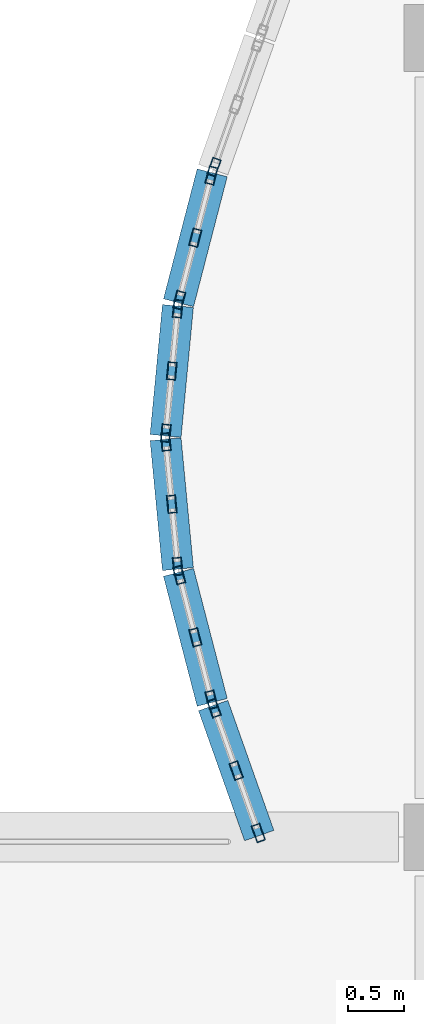
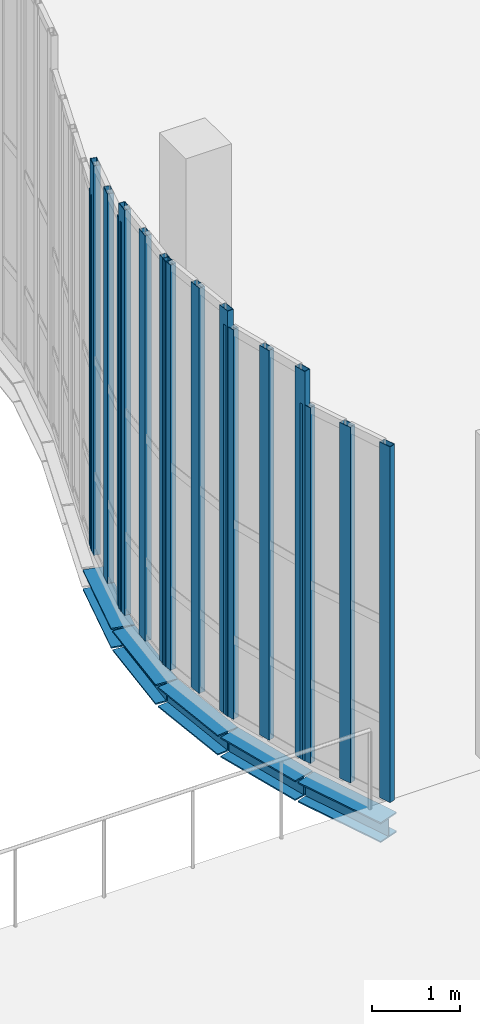
# One storey, part 15 of 105: 16 members, 5 beams, 6 elements without a shape of their own.
"""IFC4 building model written with IfcOpenShell, lengths in metres."""

from ifc_helpers import new_model, si_unit, direction, frame, origin, origin_2d, place, context, subcontext, project, spatial, hollow_rectangle, i_section, extrude, material, layer, layer_set, material_profile, profile_set, type_object, element, aggregate, save


model = new_model("IFC4")

# Units and contexts
model_context = context("Model", 3, precision=1e-05, world=origin(), true_north=direction((0.0, 1.0)))
body_context = subcontext(model_context, "Body", "Model", "MODEL_VIEW")
ifc_project = project(units=[si_unit("LENGTHUNIT", "METRE"), si_unit("AREAUNIT", "SQUARE_METRE"), si_unit("VOLUMEUNIT", "CUBIC_METRE"), si_unit("PLANEANGLEUNIT", "RADIAN"), si_unit("MASSUNIT", "GRAM", prefix="KILO"), si_unit("THERMODYNAMICTEMPERATUREUNIT", "KELVIN"), si_unit("POWERUNIT", "WATT")], contexts=[model_context])

# Site, building, storey
site_placement = place(None, origin())
site = spatial("IfcSite", under=ifc_project, at=site_placement, CompositionType="ELEMENT")
building_placement = place(site_placement, origin())
building = spatial("IfcBuilding", under=site, at=building_placement, Name="Kaldorven Railside Theatre", CompositionType="ELEMENT")
storey_placement = place(building_placement, frame((0.0, 0.0, 9.89990234375)))
storey = spatial("IfcBuildingStorey", under=building, at=storey_placement, Name="L02", CompositionType="ELEMENT", Elevation=9.89990234375)

# Beams
ifc_material_1 = material(Name="Steel S355", Category="steel")
ifc_material_profile_1 = material_profile(ifc_material_1, i_section(OverallWidth=0.280029296875, OverallDepth=0.280029296875, WebThickness=0.010498046875, FlangeThickness=0.01806640625, at=origin_2d()), Name="HEB 280")
ifc_profile_set_1 = profile_set([ifc_material_profile_1], Name="Steel S355")
beam_type = type_object("IfcBeamType", Name="BM-HEB280", PredefinedType="SPANDREL", material=ifc_profile_set_1)
beam_1_placement = place(storey_placement, frame((71.195068359375, 40.814208984375, -0.389892578125), z_axis=(-0.333908952671, 0.942605331688, 0.0), x_axis=(-0.942605331688, -0.333908952671, 0.0)))
element("IfcBeam", 1, at=beam_1_placement, inside=storey, type_object=beam_type, Name="L02 Sinusoidal Flute Edge Spandrel FSB-241", PredefinedType="SPANDREL", context=body_context, shape_type="SweptSolid", body=[
    extrude(i_section(OverallWidth=0.280029296875, OverallDepth=0.280029296875, WebThickness=0.010498046875, FlangeThickness=0.01806640625, at=origin_2d()), origin(), (0.0, 0.0, 1.0), 1.242919921875),
])
beam_2_placement = place(storey_placement, frame((70.771240234375, 42.014404296875, -0.389892578125), z_axis=(-0.250836097156, 0.96802957205, 0.0), x_axis=(-0.96802957205, -0.250836097156, 0.0)))
element("IfcBeam", 2, at=beam_2_placement, inside=storey, type_object=beam_type, Name="L02 Sinusoidal Flute Edge Spandrel FSB-242", PredefinedType="SPANDREL", context=body_context, shape_type="SweptSolid", body=[
    extrude(i_section(OverallWidth=0.280029296875, OverallDepth=0.280029296875, WebThickness=0.010498046875, FlangeThickness=0.01806640625, at=origin_2d()), origin(), (0.0, 0.0, 1.0), 1.209716796875),
])
beam_3_placement = place(storey_placement, frame((70.46240234375, 43.21484375, -0.389892578125), z_axis=(-0.094505233873, 0.99552436473, 0.0), x_axis=(-0.99552436473, -0.094505233873, 0.0)))
element("IfcBeam", 3, at=beam_3_placement, inside=storey, type_object=beam_type, Name="L02 Sinusoidal Flute Edge Spandrel FSB-243", PredefinedType="SPANDREL", context=body_context, shape_type="SweptSolid", body=[
    extrude(i_section(OverallWidth=0.280029296875, OverallDepth=0.280029296875, WebThickness=0.010498046875, FlangeThickness=0.01806640625, at=origin_2d()), origin(), (0.0, 0.0, 1.0), 1.175537109375),
])
beam_4_placement = place(storey_placement, frame((70.351318359375, 44.414794921875, -0.389892578125), z_axis=(0.09448569665, 0.995526219207, 0.0), x_axis=(-0.995526219207, 0.09448569665, 0.0)))
element("IfcBeam", 4, at=beam_4_placement, inside=storey, type_object=beam_type, Name="L02 Sinusoidal Flute Edge Spandrel FSB-244", PredefinedType="SPANDREL", context=body_context, shape_type="SweptSolid", body=[
    extrude(i_section(OverallWidth=0.280029296875, OverallDepth=0.280029296875, WebThickness=0.010498046875, FlangeThickness=0.01806640625, at=origin_2d()), origin(), (0.0, 0.0, 1.0), 1.17578125),
])
beam_5_placement = place(storey_placement, frame((70.4677734375, 45.614501953125, -0.389892578125), z_axis=(0.250885106576, 0.968016871391, 0.0), x_axis=(-0.968016871391, 0.250885106576, 0.0)))
element("IfcBeam", 5, at=beam_5_placement, inside=storey, type_object=beam_type, Name="L02 Sinusoidal Flute Edge Spandrel FSB-245", PredefinedType="SPANDREL", context=body_context, shape_type="SweptSolid", body=[
    extrude(i_section(OverallWidth=0.280029296875, OverallDepth=0.280029296875, WebThickness=0.010498046875, FlangeThickness=0.01806640625, at=origin_2d()), origin(), (0.0, 0.0, 1.0), 1.20947265625),
])

# Curtain wall, members
ifc_material_2 = material(Name="Low-E laminated solar-control glass", Category="glass")
ifc_layer_1 = layer(ifc_material_2, 0.159912109375, Name="Low-E laminated solar-control glass")
ifc_layer_set_1 = layer_set([ifc_layer_1], Name="Low-E laminated solar-control glass")
curtain_wall_type_1 = type_object("IfcCurtainWallType", Name="CWT-22", PredefinedType="USERDEFINED", material=ifc_layer_set_1)
curtain_wall_1_placement = place(storey_placement, origin())
curtain_wall_1 = element("IfcCurtainWall", 6, at=curtain_wall_1_placement, inside=storey, type_object=curtain_wall_type_1, Name="Sinusoidal Fluted Curtain Wall CW-L02-W01", ObjectType="FLUTED GLAZING", PredefinedType="USERDEFINED")
ifc_material_3 = material(Name="Anodised bronze aluminium", Category="aluminium")
ifc_material_profile_2 = material_profile(ifc_material_3, hollow_rectangle(XDim=0.080078125, YDim=0.159912109375, WallThickness=0.00634765625, at=origin_2d()), Name="RHS 160x80x6.3")
ifc_profile_set_2 = profile_set([ifc_material_profile_2], Name="Anodised bronze aluminium")
member_type = type_object("IfcMemberType", Name="CWM-160", PredefinedType="MULLION", material=ifc_profile_set_2)
member_1_placement = place(storey_placement, frame((71.186767578125, 40.837646484375, 0.0), z_axis=(0.0, 0.0, 1.0), x_axis=(-0.942627225159, -0.33384714225, 0.0)))
member_1 = element("IfcMember", 7, at=member_1_placement, type_object=member_type, Name="CW-L02-W01 mullion 1", PredefinedType="MULLION", context=body_context, shape_type="SweptSolid", body=[
    extrude(hollow_rectangle(XDim=0.080078125, YDim=0.159912109375, WallThickness=0.00634765625, at=origin_2d()), origin(), (0.0, 0.0, 1.0), 4.9501953125),
])
member_2_placement = place(storey_placement, frame((70.987548828125, 41.39990234375, 0.0), z_axis=(0.0, 0.0, 1.0), x_axis=(-0.942627225159, -0.33384714225, 0.0)))
member_2 = element("IfcMember", 8, at=member_2_placement, type_object=member_type, Name="CW-L02-W01 mullion 2", PredefinedType="MULLION", context=body_context, shape_type="SweptSolid", body=[
    extrude(hollow_rectangle(XDim=0.080078125, YDim=0.159912109375, WallThickness=0.00634765625, at=origin_2d()), origin(), (0.0, 0.0, 1.0), 4.9501953125),
])
member_3_placement = place(storey_placement, frame((70.788330078125, 41.96240234375, 0.0), z_axis=(0.0, 0.0, 1.0), x_axis=(-0.942627225159, -0.33384714225, 0.0)))
member_3 = element("IfcMember", 9, at=member_3_placement, type_object=member_type, Name="CW-L02-W01 mullion 3", PredefinedType="MULLION", context=body_context, shape_type="SweptSolid", body=[
    extrude(hollow_rectangle(XDim=0.080078125, YDim=0.159912109375, WallThickness=0.00634765625, at=origin_2d()), origin(), (0.0, 0.0, 1.0), 4.9501953125),
])
aggregate(curtain_wall_1, [member_1, member_2, member_3])

ifc_layer_2 = layer(ifc_material_2, 0.159912109375, Name="Low-E laminated solar-control glass")
ifc_layer_set_2 = layer_set([ifc_layer_2], Name="Low-E laminated solar-control glass")
curtain_wall_type_2 = type_object("IfcCurtainWallType", Name="CWT-23", PredefinedType="USERDEFINED", material=ifc_layer_set_2)
curtain_wall_2_placement = place(storey_placement, origin())
curtain_wall_2 = element("IfcCurtainWall", 10, at=curtain_wall_2_placement, inside=storey, type_object=curtain_wall_type_2, Name="Sinusoidal Fluted Curtain Wall CW-L02-W02", ObjectType="FLUTED GLAZING", PredefinedType="USERDEFINED")
member_4_placement = place(storey_placement, frame((70.764892578125, 42.038818359375, 0.0), z_axis=(0.0, 0.0, 1.0), x_axis=(-0.967999075505, -0.250953760326, 0.0)))
member_4 = element("IfcMember", 11, at=member_4_placement, type_object=member_type, Name="CW-L02-W02 mullion 1", PredefinedType="MULLION", context=body_context, shape_type="SweptSolid", body=[
    extrude(hollow_rectangle(XDim=0.080078125, YDim=0.159912109375, WallThickness=0.00634765625, at=origin_2d()), origin(), (0.0, 0.0, 1.0), 5.420166015625),
])
member_5_placement = place(storey_placement, frame((70.619384765625, 42.60009765625, 0.0), z_axis=(0.0, 0.0, 1.0), x_axis=(-0.967999075505, -0.250953760326, 0.0)))
member_5 = element("IfcMember", 12, at=member_5_placement, type_object=member_type, Name="CW-L02-W02 mullion 2", PredefinedType="MULLION", context=body_context, shape_type="SweptSolid", body=[
    extrude(hollow_rectangle(XDim=0.080078125, YDim=0.159912109375, WallThickness=0.00634765625, at=origin_2d()), origin(), (0.0, 0.0, 1.0), 5.420166015625),
])
member_6_placement = place(storey_placement, frame((70.473876953125, 43.161376953125, 0.0), z_axis=(0.0, 0.0, 1.0), x_axis=(-0.967999075505, -0.250953760326, 0.0)))
member_6 = element("IfcMember", 13, at=member_6_placement, type_object=member_type, Name="CW-L02-W02 mullion 3", PredefinedType="MULLION", context=body_context, shape_type="SweptSolid", body=[
    extrude(hollow_rectangle(XDim=0.080078125, YDim=0.159912109375, WallThickness=0.00634765625, at=origin_2d()), origin(), (0.0, 0.0, 1.0), 5.420166015625),
])
aggregate(curtain_wall_2, [member_4, member_5, member_6])

ifc_layer_3 = layer(ifc_material_2, 0.159912109375, Name="Low-E laminated solar-control glass")
ifc_layer_set_3 = layer_set([ifc_layer_3], Name="Low-E laminated solar-control glass")
curtain_wall_type_3 = type_object("IfcCurtainWallType", Name="CWT-24", PredefinedType="USERDEFINED", material=ifc_layer_set_3)
curtain_wall_3_placement = place(storey_placement, origin())
curtain_wall_3 = element("IfcCurtainWall", 14, at=curtain_wall_3_placement, inside=storey, type_object=curtain_wall_type_3, Name="Sinusoidal Fluted Curtain Wall CW-L02-W03", ObjectType="FLUTED GLAZING", PredefinedType="USERDEFINED")
member_7_placement = place(storey_placement, frame((70.460205078125, 43.23974609375, 0.0), z_axis=(0.0, 0.0, 1.0), x_axis=(-0.995525623425, -0.094491973758, 0.0)))
member_7 = element("IfcMember", 15, at=member_7_placement, type_object=member_type, Name="CW-L02-W03 mullion 1", PredefinedType="MULLION", context=body_context, shape_type="SweptSolid", body=[
    extrude(hollow_rectangle(XDim=0.080078125, YDim=0.159912109375, WallThickness=0.00634765625, at=origin_2d()), origin(), (0.0, 0.0, 1.0), 5.64013671875),
])
member_8_placement = place(storey_placement, frame((70.406982421875, 43.800048828125, 0.0), z_axis=(0.0, 0.0, 1.0), x_axis=(-0.995525623425, -0.094491973758, 0.0)))
member_8 = element("IfcMember", 16, at=member_8_placement, type_object=member_type, Name="CW-L02-W03 mullion 2", PredefinedType="MULLION", context=body_context, shape_type="SweptSolid", body=[
    extrude(hollow_rectangle(XDim=0.080078125, YDim=0.159912109375, WallThickness=0.00634765625, at=origin_2d()), origin(), (0.0, 0.0, 1.0), 5.64013671875),
])
member_9_placement = place(storey_placement, frame((70.353759765625, 44.360107421875, 0.0), z_axis=(0.0, 0.0, 1.0), x_axis=(-0.995525623425, -0.094491973758, 0.0)))
member_9 = element("IfcMember", 17, at=member_9_placement, type_object=member_type, Name="CW-L02-W03 mullion 3", PredefinedType="MULLION", context=body_context, shape_type="SweptSolid", body=[
    extrude(hollow_rectangle(XDim=0.080078125, YDim=0.159912109375, WallThickness=0.00634765625, at=origin_2d()), origin(), (0.0, 0.0, 1.0), 5.64013671875),
])
aggregate(curtain_wall_3, [member_7, member_8, member_9])

curtain_wall_4_placement = place(storey_placement, origin())
curtain_wall_4 = element("IfcCurtainWall", 18, at=curtain_wall_4_placement, inside=storey, type_object=curtain_wall_type_3, Name="Sinusoidal Fluted Curtain Wall CW-L02-W04", ObjectType="FLUTED GLAZING", PredefinedType="USERDEFINED")
member_10_placement = place(storey_placement, frame((70.353759765625, 44.43994140625, 0.0), z_axis=(0.0, 0.0, 1.0), x_axis=(-0.995525623425, 0.094491973758, 0.0)))
member_10 = element("IfcMember", 19, at=member_10_placement, type_object=member_type, Name="CW-L02-W04 mullion 1", PredefinedType="MULLION", context=body_context, shape_type="SweptSolid", body=[
    extrude(hollow_rectangle(XDim=0.080078125, YDim=0.159912109375, WallThickness=0.00634765625, at=origin_2d()), origin(), (0.0, 0.0, 1.0), 5.64013671875),
])
member_11_placement = place(storey_placement, frame((70.406982421875, 45.0, 0.0), z_axis=(0.0, 0.0, 1.0), x_axis=(-0.995525623425, 0.094491973758, 0.0)))
member_11 = element("IfcMember", 20, at=member_11_placement, type_object=member_type, Name="CW-L02-W04 mullion 2", PredefinedType="MULLION", context=body_context, shape_type="SweptSolid", body=[
    extrude(hollow_rectangle(XDim=0.080078125, YDim=0.159912109375, WallThickness=0.00634765625, at=origin_2d()), origin(), (0.0, 0.0, 1.0), 5.64013671875),
])
member_12_placement = place(storey_placement, frame((70.460205078125, 45.56005859375, 0.0), z_axis=(0.0, 0.0, 1.0), x_axis=(-0.995525623425, 0.094491973758, 0.0)))
member_12 = element("IfcMember", 21, at=member_12_placement, type_object=member_type, Name="CW-L02-W04 mullion 3", PredefinedType="MULLION", context=body_context, shape_type="SweptSolid", body=[
    extrude(hollow_rectangle(XDim=0.080078125, YDim=0.159912109375, WallThickness=0.00634765625, at=origin_2d()), origin(), (0.0, 0.0, 1.0), 5.64013671875),
])
aggregate(curtain_wall_4, [member_10, member_11, member_12])

curtain_wall_5_placement = place(storey_placement, origin())
curtain_wall_5 = element("IfcCurtainWall", 22, at=curtain_wall_5_placement, inside=storey, type_object=curtain_wall_type_2, Name="Sinusoidal Fluted Curtain Wall CW-L02-W05", ObjectType="FLUTED GLAZING", PredefinedType="USERDEFINED")
member_13_placement = place(storey_placement, frame((70.473876953125, 45.638671875, 0.0), z_axis=(0.0, 0.0, 1.0), x_axis=(-0.967999075505, 0.250953760326, 0.0)))
member_13 = element("IfcMember", 23, at=member_13_placement, type_object=member_type, Name="CW-L02-W05 mullion 1", PredefinedType="MULLION", context=body_context, shape_type="SweptSolid", body=[
    extrude(hollow_rectangle(XDim=0.080078125, YDim=0.159912109375, WallThickness=0.00634765625, at=origin_2d()), origin(), (0.0, 0.0, 1.0), 5.420166015625),
])
member_14_placement = place(storey_placement, frame((70.619384765625, 46.199951171875, 0.0), z_axis=(0.0, 0.0, 1.0), x_axis=(-0.967999075505, 0.250953760326, 0.0)))
member_14 = element("IfcMember", 24, at=member_14_placement, type_object=member_type, Name="CW-L02-W05 mullion 2", PredefinedType="MULLION", context=body_context, shape_type="SweptSolid", body=[
    extrude(hollow_rectangle(XDim=0.080078125, YDim=0.159912109375, WallThickness=0.00634765625, at=origin_2d()), origin(), (0.0, 0.0, 1.0), 5.420166015625),
])
member_15_placement = place(storey_placement, frame((70.764892578125, 46.76123046875, 0.0), z_axis=(0.0, 0.0, 1.0), x_axis=(-0.967999075505, 0.250953760326, 0.0)))
member_15 = element("IfcMember", 25, at=member_15_placement, type_object=member_type, Name="CW-L02-W05 mullion 3", PredefinedType="MULLION", context=body_context, shape_type="SweptSolid", body=[
    extrude(hollow_rectangle(XDim=0.080078125, YDim=0.159912109375, WallThickness=0.00634765625, at=origin_2d()), origin(), (0.0, 0.0, 1.0), 5.420166015625),
])
aggregate(curtain_wall_5, [member_13, member_14, member_15])

# Curtain wall, member
curtain_wall_6_placement = place(storey_placement, origin())
curtain_wall_6 = element("IfcCurtainWall", 26, at=curtain_wall_6_placement, inside=storey, type_object=curtain_wall_type_1, Name="Sinusoidal Fluted Curtain Wall CW-L02-W06", ObjectType="FLUTED GLAZING", PredefinedType="USERDEFINED")
member_16_placement = place(storey_placement, frame((70.788330078125, 46.837646484375, 0.0), z_axis=(0.0, 0.0, 1.0), x_axis=(-0.942627225159, 0.33384714225, 0.0)))
member_16 = element("IfcMember", 27, at=member_16_placement, type_object=member_type, Name="CW-L02-W06 mullion 1", PredefinedType="MULLION", context=body_context, shape_type="SweptSolid", body=[
    extrude(hollow_rectangle(XDim=0.080078125, YDim=0.159912109375, WallThickness=0.00634765625, at=origin_2d()), origin(), (0.0, 0.0, 1.0), 4.9501953125),
])
aggregate(curtain_wall_6, [member_16])

save(model, "model.ifc")
